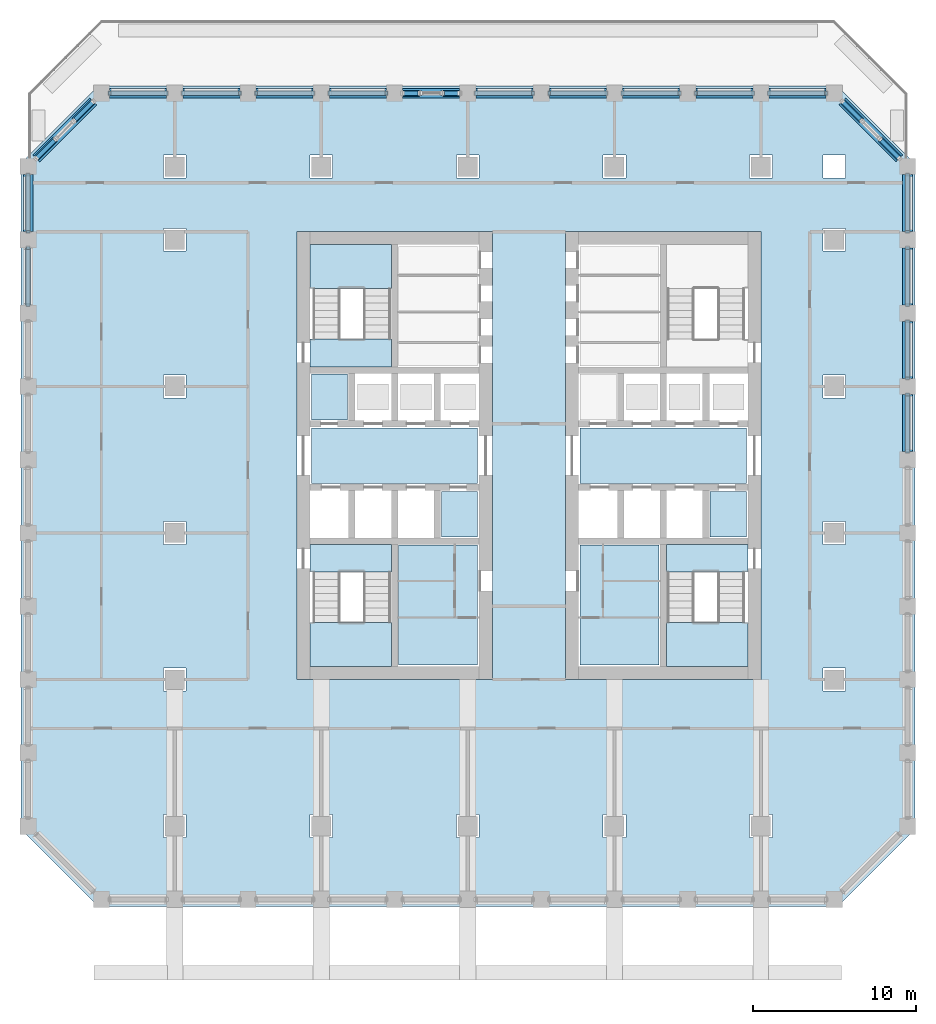
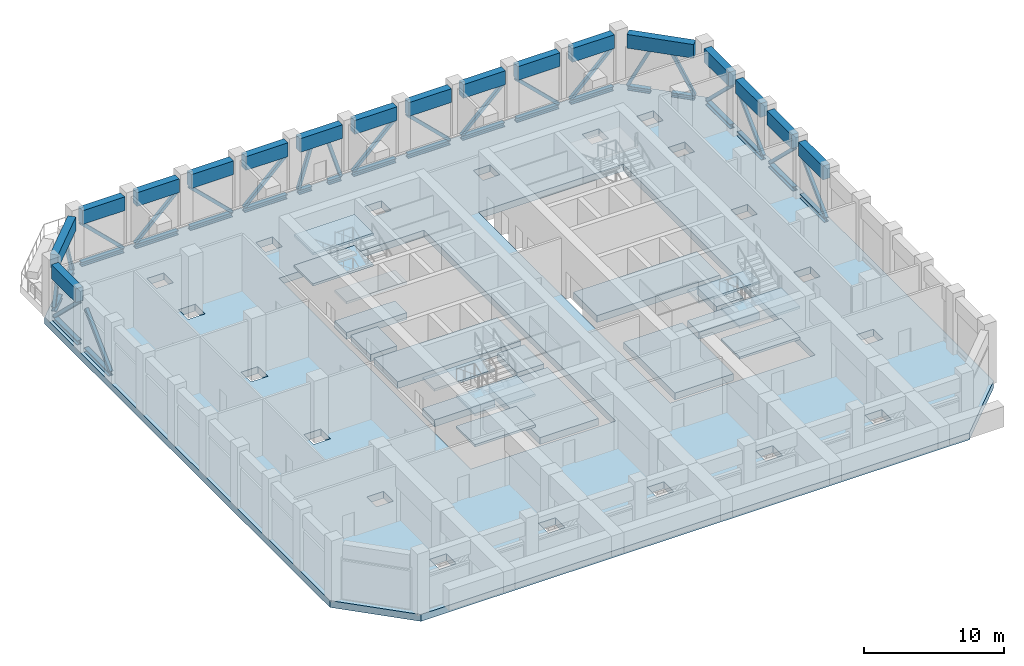
# One storey, part 2 of 20: 42 members, 20 slabs, 17 beams, 3 elements without a shape of their own.
"""IFC4 building model written with IfcOpenShell, lengths in metres."""

from ifc_helpers import new_model, si_unit, direction, frame, origin, origin_2d, place, context, subcontext, project, spatial, polyline, rectangle, hollow_rectangle, i_section, outline, extrude, material, layer, layer_set, material_profile, profile_set, type_object, element, aggregate, save


model = new_model("IFC4")

# Units and contexts
model_context = context("Model", 3, precision=1e-05, world=origin(), true_north=direction((0.0, 1.0)))
body_context = subcontext(model_context, "Body", "Model", "MODEL_VIEW")
ifc_project = project(units=[si_unit("LENGTHUNIT", "METRE"), si_unit("AREAUNIT", "SQUARE_METRE"), si_unit("VOLUMEUNIT", "CUBIC_METRE"), si_unit("PLANEANGLEUNIT", "RADIAN"), si_unit("MASSUNIT", "GRAM", prefix="KILO")], contexts=[model_context])

# Site, building, storey
site_placement = place(None, origin())
site = spatial("IfcSite", under=ifc_project, at=site_placement, CompositionType="ELEMENT")
building_placement = place(site_placement, origin())
building = spatial("IfcBuilding", under=site, at=building_placement, Name="Corbel Stack Research Tower", CompositionType="ELEMENT")
storey_placement = place(building_placement, frame((0.0, 0.0, 151.39990234375)))
storey = spatial("IfcBuildingStorey", under=building, at=storey_placement, Name="L34", CompositionType="ELEMENT", Elevation=151.39990234375)

# Members
ifc_material_1 = material(Name="Steel S355", Category="steel")
ifc_material_profile_1 = material_profile(ifc_material_1, i_section(OverallWidth=0.368896484375, OverallDepth=0.35595703125, WebThickness=0.010986328125, FlangeThickness=0.01806640625, at=origin_2d()), Name="W14x90")
ifc_profile_set_1 = profile_set([ifc_material_profile_1], Name="Steel S355")
member_type_1 = type_object("IfcMemberType", Name="BC-90", PredefinedType="CHORD", material=ifc_profile_set_1)
for number, where, z_axis, x_axis, name in (
    (1, (27.0, 5.0, 0.177978515625), (0.0, 1.0, 0.0), (-1.0, 0.0, 0.0), "Belt truss chord L34-17"),
    (2, (27.0, 9.5, 0.177978515625), (0.0, 1.0, 0.0), (-1.0, 0.0, 0.0), "Belt truss chord L34-18"),
    (3, (27.0, 14.0, 0.177978515625), (0.0, 1.0, 0.0), (-1.0, 0.0, 0.0), "Belt truss chord L34-19"),
    (4, (27.0, 18.5, 0.177978515625), (0.0, 1.0, 0.0), (-1.0, 0.0, 0.0), "Belt truss chord L34-20"),
):
    element("IfcMember", number, at=place(storey_placement, frame(where, z_axis=z_axis, x_axis=x_axis)), inside=storey, type_object=member_type_1, Name=name, PredefinedType="CHORD", context=body_context, shape_type="SweptSolid", body=[
        extrude(i_section(OverallWidth=0.368896484375, OverallDepth=0.35595703125, WebThickness=0.010986328125, FlangeThickness=0.01806640625, at=origin_2d()), origin(), (0.0, 0.0, 1.0), 3.5),
    ])
for number, where, z_axis, x_axis, name in (
    (5, (26.5, 23.0, 0.177978515625), (-0.707106781187, 0.707106781187, 0.0), (-0.707106781187, -0.707106781187, 0.0), "Belt truss chord L34-21a"),
    (6, (24.184326171875, 25.315673828125, 0.177978515625), (-0.707106781187, 0.707106781187, 0.0), (-0.707106781187, -0.707106781187, 0.0), "Belt truss chord L34-21b"),
):
    element("IfcMember", number, at=place(storey_placement, frame(where, z_axis=z_axis, x_axis=x_axis)), inside=storey, type_object=member_type_1, Name=name, PredefinedType="CHORD", context=body_context, shape_type="SweptSolid", body=[
        extrude(i_section(OverallWidth=0.368896484375, OverallDepth=0.35595703125, WebThickness=0.010986328125, FlangeThickness=0.01806640625, at=origin_2d()), origin(), (0.0, 0.0, 1.0), 1.6748046875),
    ])
for number, where, z_axis, x_axis, name in (
    (7, (22.0, 27.0, 0.177978515625), (-1.0, 0.0, 0.0), (0.0, -1.0, 0.0), "Belt truss chord L34-22"),
    (8, (17.5, 27.0, 0.177978515625), (-1.0, 0.0, 0.0), (0.0, -1.0, 0.0), "Belt truss chord L34-23"),
    (9, (13.0, 27.0, 0.177978515625), (-1.0, 0.0, 0.0), (0.0, -1.0, 0.0), "Belt truss chord L34-24"),
    (10, (8.5, 27.0, 0.177978515625), (-1.0, 0.0, 0.0), (0.0, -1.0, 0.0), "Belt truss chord L34-25"),
    (11, (4.0, 27.0, 0.177978515625), (-1.0, 0.0, 0.0), (0.0, -1.0, 0.0), "Belt truss chord L34-26"),
):
    element("IfcMember", number, at=place(storey_placement, frame(where, z_axis=z_axis, x_axis=x_axis)), inside=storey, type_object=member_type_1, Name=name, PredefinedType="CHORD", context=body_context, shape_type="SweptSolid", body=[
        extrude(i_section(OverallWidth=0.368896484375, OverallDepth=0.35595703125, WebThickness=0.010986328125, FlangeThickness=0.01806640625, at=origin_2d()), origin(), (0.0, 0.0, 1.0), 3.5),
    ])
for number, where, z_axis, x_axis, name in (
    (12, (-0.5, 27.0, 0.177978515625), (-1.0, 0.0, 0.0), (0.0, -1.0, 0.0), "Belt truss chord L34-27a"),
    (13, (-2.949951171875, 27.0, 0.177978515625), (-1.0, 0.0, 0.0), (0.0, -1.0, 0.0), "Belt truss chord L34-27b"),
):
    element("IfcMember", number, at=place(storey_placement, frame(where, z_axis=z_axis, x_axis=x_axis)), inside=storey, type_object=member_type_1, Name=name, PredefinedType="CHORD", context=body_context, shape_type="SweptSolid", body=[
        extrude(i_section(OverallWidth=0.368896484375, OverallDepth=0.35595703125, WebThickness=0.010986328125, FlangeThickness=0.01806640625, at=origin_2d()), origin(), (0.0, 0.0, 1.0), 1.050048828125),
    ])
for number, where, z_axis, x_axis, name in (
    (14, (-5.0, 27.0, 0.177978515625), (-1.0, 0.0, 0.0), (0.0, -1.0, 0.0), "Belt truss chord L34-28"),
    (15, (-9.5, 27.0, 0.177978515625), (-1.0, 0.0, 0.0), (0.0, -1.0, 0.0), "Belt truss chord L34-29"),
    (16, (-14.0, 27.0, 0.177978515625), (-1.0, 0.0, 0.0), (0.0, -1.0, 0.0), "Belt truss chord L34-30"),
    (17, (-18.5, 27.0, 0.177978515625), (-1.0, 0.0, 0.0), (0.0, -1.0, 0.0), "Belt truss chord L34-31"),
):
    element("IfcMember", number, at=place(storey_placement, frame(where, z_axis=z_axis, x_axis=x_axis)), inside=storey, type_object=member_type_1, Name=name, PredefinedType="CHORD", context=body_context, shape_type="SweptSolid", body=[
        extrude(i_section(OverallWidth=0.368896484375, OverallDepth=0.35595703125, WebThickness=0.010986328125, FlangeThickness=0.01806640625, at=origin_2d()), origin(), (0.0, 0.0, 1.0), 3.5),
    ])
for number, where, z_axis, x_axis, name in (
    (18, (-23.0, 26.5, 0.177978515625), (-0.707106781187, -0.707106781187, 0.0), (0.707106781187, -0.707106781187, 0.0), "Belt truss chord L34-32a"),
    (19, (-25.315673828125, 24.184326171875, 0.177978515625), (-0.707106781187, -0.707106781187, 0.0), (0.707106781187, -0.707106781187, 0.0), "Belt truss chord L34-32b"),
):
    element("IfcMember", number, at=place(storey_placement, frame(where, z_axis=z_axis, x_axis=x_axis)), inside=storey, type_object=member_type_1, Name=name, PredefinedType="CHORD", context=body_context, shape_type="SweptSolid", body=[
        extrude(i_section(OverallWidth=0.368896484375, OverallDepth=0.35595703125, WebThickness=0.010986328125, FlangeThickness=0.01806640625, at=origin_2d()), origin(), (0.0, 0.0, 1.0), 1.6748046875),
    ])
for number, where, z_axis, x_axis, name in (
    (20, (-27.0, 22.0, 0.177978515625), (0.0, -1.0, 0.0), (1.0, 0.0, 0.0), "Belt truss chord L34-33"),
    (21, (-27.0, 17.5, 0.177978515625), (0.0, -1.0, 0.0), (1.0, 0.0, 0.0), "Belt truss chord L34-34"),
):
    element("IfcMember", number, at=place(storey_placement, frame(where, z_axis=z_axis, x_axis=x_axis)), inside=storey, type_object=member_type_1, Name=name, PredefinedType="CHORD", context=body_context, shape_type="SweptSolid", body=[
        extrude(i_section(OverallWidth=0.368896484375, OverallDepth=0.35595703125, WebThickness=0.010986328125, FlangeThickness=0.01806640625, at=origin_2d()), origin(), (0.0, 0.0, 1.0), 3.5),
    ])
ifc_material_2 = material(Name="Steel S355", Category="steel")
ifc_material_profile_2 = material_profile(ifc_material_2, hollow_rectangle(XDim=0.25390625, YDim=0.25390625, WallThickness=0.01171875, at=origin_2d()), Name="HSS10x10x1/2")
ifc_profile_set_2 = profile_set([ifc_material_profile_2], Name="Steel S355")
member_type_2 = type_object("IfcMemberType", Name="BD-10", PredefinedType="BRACE", material=ifc_profile_set_2)
for number, where, z_axis, x_axis, name in (
    (22, (27.0, 5.0, 0.356201171875), (0.0, 0.7179148028, 0.696130976125), (-1.0, 0.0, 0.0), "Belt truss diagonal L34-17"),
    (23, (27.0, 13.0, 0.356201171875), (0.0, -0.7179148028, 0.696130976125), (1.0, 0.0, 0.0), "Belt truss diagonal L34-18"),
    (24, (27.0, 14.0, 0.356201171875), (0.0, 0.7179148028, 0.696130976125), (-1.0, 0.0, 0.0), "Belt truss diagonal L34-19"),
    (25, (27.0, 22.0, 0.356201171875), (0.0, -0.7179148028, 0.696130976125), (1.0, 0.0, 0.0), "Belt truss diagonal L34-20"),
):
    element("IfcMember", number, at=place(storey_placement, frame(where, z_axis=z_axis, x_axis=x_axis)), inside=storey, type_object=member_type_2, Name=name, PredefinedType="BRACE", context=body_context, shape_type="SweptSolid", body=[
        extrude(hollow_rectangle(XDim=0.25390625, YDim=0.25390625, WallThickness=0.01171875, at=origin_2d()), origin(), (0.0, 0.0, 1.0), 4.875244140625),
    ])
for number, where, z_axis, x_axis, name in (
    (26, (26.5, 23.0, 0.356201171875), (-0.312933745696, 0.312933745696, 0.896741290233), (-0.707106781187, -0.707106781187, 0.0), "Belt truss diagonal L34-21a"),
    (27, (23.0, 26.5, 0.356201171875), (0.312933745696, -0.312933745696, 0.896741290233), (0.707106781187, 0.707106781187, 0.0), "Belt truss diagonal L34-21b"),
):
    element("IfcMember", number, at=place(storey_placement, frame(where, z_axis=z_axis, x_axis=x_axis)), inside=storey, type_object=member_type_2, Name=name, PredefinedType="BRACE", context=body_context, shape_type="SweptSolid", body=[
        extrude(hollow_rectangle(XDim=0.25390625, YDim=0.25390625, WallThickness=0.01171875, at=origin_2d()), origin(), (0.0, 0.0, 1.0), 3.78466796875),
    ])
for number, where, z_axis, x_axis, name in (
    (28, (18.5, 27.0, 0.356201171875), (0.7179148028, 0.0, 0.696130976125), (0.0, 1.0, 0.0), "Belt truss diagonal L34-22"),
    (29, (17.5, 27.0, 0.356201171875), (-0.7179148028, 0.0, 0.696130976125), (0.0, -1.0, 0.0), "Belt truss diagonal L34-23"),
    (30, (9.5, 27.0, 0.356201171875), (0.7179148028, 0.0, 0.696130976125), (0.0, 1.0, 0.0), "Belt truss diagonal L34-24"),
    (31, (8.5, 27.0, 0.356201171875), (-0.7179148028, 0.0, 0.696130976125), (0.0, -1.0, 0.0), "Belt truss diagonal L34-25"),
    (32, (0.5, 27.0, 0.356201171875), (0.7179148028, 0.0, 0.696130976125), (0.0, 1.0, 0.0), "Belt truss diagonal L34-26"),
):
    element("IfcMember", number, at=place(storey_placement, frame(where, z_axis=z_axis, x_axis=x_axis)), inside=storey, type_object=member_type_2, Name=name, PredefinedType="BRACE", context=body_context, shape_type="SweptSolid", body=[
        extrude(hollow_rectangle(XDim=0.25390625, YDim=0.25390625, WallThickness=0.01171875, at=origin_2d()), origin(), (0.0, 0.0, 1.0), 4.875244140625),
    ])
for number, where, z_axis, x_axis, name in (
    (33, (-0.5, 27.0, 0.356201171875), (-0.295577708638, 0.0, 0.955318699784), (0.0, -1.0, 0.0), "Belt truss diagonal L34-27a"),
    (34, (-4.0, 27.0, 0.356201171875), (0.295577708638, 0.0, 0.955318699784), (0.0, 1.0, 0.0), "Belt truss diagonal L34-27b"),
):
    element("IfcMember", number, at=place(storey_placement, frame(where, z_axis=z_axis, x_axis=x_axis)), inside=storey, type_object=member_type_2, Name=name, PredefinedType="BRACE", context=body_context, shape_type="SweptSolid", body=[
        extrude(hollow_rectangle(XDim=0.25390625, YDim=0.25390625, WallThickness=0.01171875, at=origin_2d()), origin(), (0.0, 0.0, 1.0), 3.552490234375),
    ])
for number, where, z_axis, x_axis, name in (
    (35, (-8.5, 27.0, 0.356201171875), (0.7179148028, 0.0, 0.696130976125), (0.0, 1.0, 0.0), "Belt truss diagonal L34-28"),
    (36, (-9.5, 27.0, 0.356201171875), (-0.7179148028, 0.0, 0.696130976125), (0.0, -1.0, 0.0), "Belt truss diagonal L34-29"),
    (37, (-17.5, 27.0, 0.356201171875), (0.7179148028, 0.0, 0.696130976125), (0.0, 1.0, 0.0), "Belt truss diagonal L34-30"),
    (38, (-18.5, 27.0, 0.356201171875), (-0.7179148028, 0.0, 0.696130976125), (0.0, -1.0, 0.0), "Belt truss diagonal L34-31"),
):
    element("IfcMember", number, at=place(storey_placement, frame(where, z_axis=z_axis, x_axis=x_axis)), inside=storey, type_object=member_type_2, Name=name, PredefinedType="BRACE", context=body_context, shape_type="SweptSolid", body=[
        extrude(hollow_rectangle(XDim=0.25390625, YDim=0.25390625, WallThickness=0.01171875, at=origin_2d()), origin(), (0.0, 0.0, 1.0), 4.875244140625),
    ])
for number, where, z_axis, x_axis, name in (
    (39, (-23.0, 26.5, 0.356201171875), (-0.312933745696, -0.312933745696, 0.896741290233), (0.707106781187, -0.707106781187, 0.0), "Belt truss diagonal L34-32a"),
    (40, (-26.5, 23.0, 0.356201171875), (0.312933745696, 0.312933745696, 0.896741290233), (-0.707106781187, 0.707106781187, 0.0), "Belt truss diagonal L34-32b"),
):
    element("IfcMember", number, at=place(storey_placement, frame(where, z_axis=z_axis, x_axis=x_axis)), inside=storey, type_object=member_type_2, Name=name, PredefinedType="BRACE", context=body_context, shape_type="SweptSolid", body=[
        extrude(hollow_rectangle(XDim=0.25390625, YDim=0.25390625, WallThickness=0.01171875, at=origin_2d()), origin(), (0.0, 0.0, 1.0), 3.78466796875),
    ])
for number, where, z_axis, x_axis, name in (
    (41, (-27.0, 22.0, 0.356201171875), (0.0, -0.7179148028, 0.696130976125), (1.0, 0.0, 0.0), "Belt truss diagonal L34-33"),
    (42, (-27.0, 14.0, 0.356201171875), (0.0, 0.7179148028, 0.696130976125), (-1.0, 0.0, 0.0), "Belt truss diagonal L34-34"),
):
    element("IfcMember", number, at=place(storey_placement, frame(where, z_axis=z_axis, x_axis=x_axis)), inside=storey, type_object=member_type_2, Name=name, PredefinedType="BRACE", context=body_context, shape_type="SweptSolid", body=[
        extrude(hollow_rectangle(XDim=0.25390625, YDim=0.25390625, WallThickness=0.01171875, at=origin_2d()), origin(), (0.0, 0.0, 1.0), 4.875244140625),
    ])

# Beams
ifc_material_3 = material(Name="Concrete C60/75", Category="concrete")
ifc_material_profile_3 = material_profile(ifc_material_3, rectangle(XDim=0.60009765625, YDim=1.199951171875, at=origin_2d()), Name="RC 600 x 1200")
ifc_profile_set_3 = profile_set([ifc_material_profile_3], Name="Concrete C60/75")
beam_type = type_object("IfcBeamType", Name="SB-600-1200-450", PredefinedType="SPANDREL", material=ifc_profile_set_3)
for number, where, z_axis, x_axis, name in (
    (43, (27.0, 5.0, 4.35009765625), (0.0, 1.0, 0.0), (-1.0, 0.0, 0.0), "Spandrel beam L34-17"),
    (44, (27.0, 9.5, 4.35009765625), (0.0, 1.0, 0.0), (-1.0, 0.0, 0.0), "Spandrel beam L34-18"),
    (45, (27.0, 14.0, 4.35009765625), (0.0, 1.0, 0.0), (-1.0, 0.0, 0.0), "Spandrel beam L34-19"),
    (46, (27.0, 18.5, 4.35009765625), (0.0, 1.0, 0.0), (-1.0, 0.0, 0.0), "Spandrel beam L34-20"),
):
    element("IfcBeam", number, at=place(storey_placement, frame(where, z_axis=z_axis, x_axis=x_axis)), inside=storey, type_object=beam_type, Name=name, PredefinedType="SPANDREL", context=body_context, shape_type="SweptSolid", body=[
        extrude(rectangle(XDim=0.60009765625, YDim=1.199951171875, at=origin_2d()), origin(), (0.0, 0.0, 1.0), 3.5),
    ])
beam_1_placement = place(storey_placement, frame((26.5, 23.0, 4.35009765625), z_axis=(-0.707106781187, 0.707106781187, 0.0), x_axis=(-0.707106781187, -0.707106781187, 0.0)))
element("IfcBeam", 47, at=beam_1_placement, inside=storey, type_object=beam_type, Name="Spandrel beam L34-21", PredefinedType="SPANDREL", context=body_context, shape_type="SweptSolid", body=[
    extrude(rectangle(XDim=0.60009765625, YDim=1.199951171875, at=origin_2d()), origin(), (0.0, 0.0, 1.0), 4.94970703125),
])
for number, where, z_axis, x_axis, name in (
    (48, (22.0, 27.0, 4.35009765625), (-1.0, 0.0, 0.0), (0.0, -1.0, 0.0), "Spandrel beam L34-22"),
    (49, (17.5, 27.0, 4.35009765625), (-1.0, 0.0, 0.0), (0.0, -1.0, 0.0), "Spandrel beam L34-23"),
    (50, (13.0, 27.0, 4.35009765625), (-1.0, 0.0, 0.0), (0.0, -1.0, 0.0), "Spandrel beam L34-24"),
    (51, (8.5, 27.0, 4.35009765625), (-1.0, 0.0, 0.0), (0.0, -1.0, 0.0), "Spandrel beam L34-25"),
    (52, (4.0, 27.0, 4.35009765625), (-1.0, 0.0, 0.0), (0.0, -1.0, 0.0), "Spandrel beam L34-26"),
    (53, (-0.5, 27.0, 4.35009765625), (-1.0, 0.0, 0.0), (0.0, -1.0, 0.0), "Spandrel beam L34-27"),
    (54, (-5.0, 27.0, 4.35009765625), (-1.0, 0.0, 0.0), (0.0, -1.0, 0.0), "Spandrel beam L34-28"),
    (55, (-9.5, 27.0, 4.35009765625), (-1.0, 0.0, 0.0), (0.0, -1.0, 0.0), "Spandrel beam L34-29"),
    (56, (-14.0, 27.0, 4.35009765625), (-1.0, 0.0, 0.0), (0.0, -1.0, 0.0), "Spandrel beam L34-30"),
    (57, (-18.5, 27.0, 4.35009765625), (-1.0, 0.0, 0.0), (0.0, -1.0, 0.0), "Spandrel beam L34-31"),
):
    element("IfcBeam", number, at=place(storey_placement, frame(where, z_axis=z_axis, x_axis=x_axis)), inside=storey, type_object=beam_type, Name=name, PredefinedType="SPANDREL", context=body_context, shape_type="SweptSolid", body=[
        extrude(rectangle(XDim=0.60009765625, YDim=1.199951171875, at=origin_2d()), origin(), (0.0, 0.0, 1.0), 3.5),
    ])
beam_2_placement = place(storey_placement, frame((-23.0, 26.5, 4.35009765625), z_axis=(-0.707106781187, -0.707106781187, 0.0), x_axis=(0.707106781187, -0.707106781187, 0.0)))
element("IfcBeam", 58, at=beam_2_placement, inside=storey, type_object=beam_type, Name="Spandrel beam L34-32", PredefinedType="SPANDREL", context=body_context, shape_type="SweptSolid", body=[
    extrude(rectangle(XDim=0.60009765625, YDim=1.199951171875, at=origin_2d()), origin(), (0.0, 0.0, 1.0), 4.94970703125),
])
beam_3_placement = place(storey_placement, frame((-27.0, 22.0, 4.35009765625), z_axis=(0.0, -1.0, 0.0), x_axis=(1.0, 0.0, 0.0)))
element("IfcBeam", 59, at=beam_3_placement, inside=storey, type_object=beam_type, Name="Spandrel beam L34-33", PredefinedType="SPANDREL", context=body_context, shape_type="SweptSolid", body=[
    extrude(rectangle(XDim=0.60009765625, YDim=1.199951171875, at=origin_2d()), origin(), (0.0, 0.0, 1.0), 3.5),
])

# Slabs
ifc_material_4 = material(Name="Concrete C45/55", Category="concrete")
ifc_layer_1 = layer(ifc_material_4, 0.60009765625)
ifc_layer_set_1 = layer_set([ifc_layer_1], Name="Concrete C45/55")
slab_type_1 = type_object("IfcSlabType", Name="PT-600", PredefinedType="FLOOR", material=ifc_layer_set_1)
slab_1_placement = place(storey_placement, frame((0.0, 0.0, -0.599853515625)))
element("IfcSlab", 60, at=slab_1_placement, inside=storey, type_object=slab_type_1, Name="Floor slab L34", PredefinedType="FLOOR", context=body_context, shape_type="SweptSolid", body=[
    extrude(outline(polyline([(-22.686279296875, -22.949951171875), (22.686279296875, -22.949951171875), (27.449951171875, -18.186279296875), (27.449951171875, 22.686279296875), (22.686279296875, 27.449951171875), (-22.686279296875, 27.449951171875), (-27.449951171875, 22.686279296875), (-27.449951171875, -18.186279296875), (-22.686279296875, -22.949951171875)]), holes=[polyline([(21.800048828125, 21.800048828125), (21.800048828125, 23.199951171875), (23.199951171875, 23.199951171875), (23.199951171875, 21.800048828125), (21.800048828125, 21.800048828125)]), polyline([(21.800048828125, 17.300048828125), (21.800048828125, 18.699951171875), (23.199951171875, 18.699951171875), (23.199951171875, 17.300048828125), (21.800048828125, 17.300048828125)]), polyline([(21.800048828125, 8.300048828125), (21.800048828125, 9.699951171875), (23.199951171875, 9.699951171875), (23.199951171875, 8.300048828125), (21.800048828125, 8.300048828125)]), polyline([(21.800048828125, -0.699951171875), (21.800048828125, 0.699951171875), (23.199951171875, 0.699951171875), (23.199951171875, -0.699951171875), (21.800048828125, -0.699951171875)]), polyline([(21.800048828125, -9.699951171875), (21.800048828125, -8.300048828125), (23.199951171875, -8.300048828125), (23.199951171875, -9.699951171875), (21.800048828125, -9.699951171875)]), polyline([(17.300048828125, 21.800048828125), (17.300048828125, 23.199951171875), (18.699951171875, 23.199951171875), (18.699951171875, 21.800048828125), (17.300048828125, 21.800048828125)]), polyline([(18.699951171875, -18.699951171875), (17.300048828125, -18.699951171875), (17.300048828125, -17.300048828125), (18.699951171875, -17.300048828125), (18.699951171875, -18.699951171875)]), polyline([(18.0, -9.0), (6.0, -9.0), (6.0, 18.5), (18.0, 18.5), (18.0, -9.0)]), polyline([(9.699951171875, 21.800048828125), (8.300048828125, 21.800048828125), (8.300048828125, 23.199951171875), (9.699951171875, 23.199951171875), (9.699951171875, 21.800048828125)]), polyline([(9.699951171875, -18.699951171875), (8.300048828125, -18.699951171875), (8.300048828125, -17.300048828125), (9.699951171875, -17.300048828125), (9.699951171875, -18.699951171875)]), polyline([(1.5, -9.0), (-10.5, -9.0), (-10.5, 18.5), (1.5, 18.5), (1.5, -9.0)]), polyline([(0.699951171875, 21.800048828125), (-0.699951171875, 21.800048828125), (-0.699951171875, 23.199951171875), (0.699951171875, 23.199951171875), (0.699951171875, 21.800048828125)]), polyline([(0.699951171875, -18.699951171875), (-0.699951171875, -18.699951171875), (-0.699951171875, -17.300048828125), (0.699951171875, -17.300048828125), (0.699951171875, -18.699951171875)]), polyline([(-9.699951171875, 21.800048828125), (-9.699951171875, 23.199951171875), (-8.300048828125, 23.199951171875), (-8.300048828125, 21.800048828125), (-9.699951171875, 21.800048828125)]), polyline([(-8.300048828125, -18.699951171875), (-9.699951171875, -18.699951171875), (-9.699951171875, -17.300048828125), (-8.300048828125, -17.300048828125), (-8.300048828125, -18.699951171875)]), polyline([(-18.699951171875, 21.800048828125), (-18.699951171875, 23.199951171875), (-17.300048828125, 23.199951171875), (-17.300048828125, 21.800048828125), (-18.699951171875, 21.800048828125)]), polyline([(-17.300048828125, 17.300048828125), (-18.699951171875, 17.300048828125), (-18.699951171875, 18.699951171875), (-17.300048828125, 18.699951171875), (-17.300048828125, 17.300048828125)]), polyline([(-17.300048828125, 8.300048828125), (-18.699951171875, 8.300048828125), (-18.699951171875, 9.699951171875), (-17.300048828125, 9.699951171875), (-17.300048828125, 8.300048828125)]), polyline([(-18.699951171875, -0.699951171875), (-18.699951171875, 0.699951171875), (-17.300048828125, 0.699951171875), (-17.300048828125, -0.699951171875), (-18.699951171875, -0.699951171875)]), polyline([(-18.699951171875, -9.699951171875), (-18.699951171875, -8.300048828125), (-17.300048828125, -8.300048828125), (-17.300048828125, -9.699951171875), (-18.699951171875, -9.699951171875)]), polyline([(-17.300048828125, -18.699951171875), (-18.699951171875, -18.699951171875), (-18.699951171875, -17.300048828125), (-17.300048828125, -17.300048828125), (-17.300048828125, -18.699951171875)])]), origin(), (0.0, 0.0, 1.0), 0.599853515625),
])
slab_2_placement = place(storey_placement, frame((0.0, 0.0, -0.599853515625)))
element("IfcSlab", 61, at=slab_2_placement, inside=storey, type_object=slab_type_1, Name="West core floor L34", PredefinedType="FLOOR", context=body_context, shape_type="SweptSolid", body=[
    extrude(outline(polyline([(0.60009765625, 6.449951171875), (-9.60009765625, 6.449951171875), (-9.60009765625, 3.050048828125), (0.60009765625, 3.050048828125), (0.60009765625, 6.449951171875)])), origin(), (0.0, 0.0, 1.0), 0.599853515625),
])
slab_3_placement = place(storey_placement, frame((0.0, 0.0, -0.599853515625)))
element("IfcSlab", 62, at=slab_3_placement, inside=storey, type_object=slab_type_1, Name="West core floor L34", PredefinedType="FLOOR", context=body_context, shape_type="SweptSolid", body=[
    extrude(outline(polyline([(-7.375, 6.949951171875), (-7.375, 9.75), (-9.60009765625, 9.75), (-9.60009765625, 6.949951171875), (-7.375, 6.949951171875)])), origin(), (0.0, 0.0, 1.0), 0.599853515625),
])
slab_4_placement = place(storey_placement, frame((0.0, 0.0, -0.599853515625)))
element("IfcSlab", 63, at=slab_4_placement, inside=storey, type_object=slab_type_1, Name="West core floor L34", PredefinedType="FLOOR", context=body_context, shape_type="SweptSolid", body=[
    extrude(outline(polyline([(0.60009765625, -8.10009765625), (0.60009765625, -0.75), (-4.25, -0.75), (-4.25, -8.10009765625), (0.60009765625, -8.10009765625)])), origin(), (0.0, 0.0, 1.0), 0.599853515625),
])
slab_5_placement = place(storey_placement, frame((0.0, 0.0, -0.599853515625)))
element("IfcSlab", 64, at=slab_5_placement, inside=storey, type_object=slab_type_1, Name="West core floor L34", PredefinedType="FLOOR", context=body_context, shape_type="SweptSolid", body=[
    extrude(outline(polyline([(0.60009765625, 2.550048828125), (-1.625, 2.550048828125), (-1.625, -0.25), (0.60009765625, -0.25), (0.60009765625, 2.550048828125)])), origin(), (0.0, 0.0, 1.0), 0.599853515625),
])
slab_6_placement = place(storey_placement, frame((0.0, 0.0, -0.599853515625)))
element("IfcSlab", 65, at=slab_6_placement, inside=storey, type_object=slab_type_1, Name="East core floor L34", PredefinedType="FLOOR", context=body_context, shape_type="SweptSolid", body=[
    extrude(outline(polyline([(11.75, -0.75), (6.89990234375, -0.75), (6.89990234375, -8.10009765625), (11.75, -8.10009765625), (11.75, -0.75)])), origin(), (0.0, 0.0, 1.0), 0.599853515625),
])
slab_7_placement = place(storey_placement, frame((0.0, 0.0, -0.599853515625)))
element("IfcSlab", 66, at=slab_7_placement, inside=storey, type_object=slab_type_1, Name="East core floor L34", PredefinedType="FLOOR", context=body_context, shape_type="SweptSolid", body=[
    extrude(outline(polyline([(6.89990234375, 6.449951171875), (6.89990234375, 3.050048828125), (17.10009765625, 3.050048828125), (17.10009765625, 6.449951171875), (6.89990234375, 6.449951171875)])), origin(), (0.0, 0.0, 1.0), 0.599853515625),
])
slab_8_placement = place(storey_placement, frame((0.0, 0.0, -0.599853515625)))
element("IfcSlab", 67, at=slab_8_placement, inside=storey, type_object=slab_type_1, Name="East core floor L34", PredefinedType="FLOOR", context=body_context, shape_type="SweptSolid", body=[
    extrude(outline(polyline([(14.875, 2.550048828125), (14.875, -0.25), (17.10009765625, -0.25), (17.10009765625, 2.550048828125), (14.875, 2.550048828125)])), origin(), (0.0, 0.0, 1.0), 0.599853515625),
])
slab_9_placement = place(storey_placement, frame((0.0, 0.0, -0.599853515625)))
element("IfcSlab", 68, at=slab_9_placement, inside=storey, type_object=slab_type_1, Name="Stair floor landing ST-W1", PredefinedType="FLOOR", context=body_context, shape_type="SweptSolid", body=[
    extrude(outline(polyline([(-9.699951171875, -2.39990234375), (-4.699951171875, -2.39990234375), (-4.699951171875, -0.699951171875), (-9.699951171875, -0.699951171875), (-9.699951171875, -2.39990234375)])), origin(), (0.0, 0.0, 1.0), 0.599853515625),
])
slab_10_placement = place(storey_placement, frame((0.0, 0.0, -0.599853515625)))
element("IfcSlab", 69, at=slab_10_placement, inside=storey, type_object=slab_type_1, Name="Stair floor landing ST-W2", PredefinedType="FLOOR", context=body_context, shape_type="SweptSolid", body=[
    extrude(outline(polyline([(-9.699951171875, 10.199951171875), (-4.699951171875, 10.199951171875), (-4.699951171875, 11.89990234375), (-9.699951171875, 11.89990234375), (-9.699951171875, 10.199951171875)])), origin(), (0.0, 0.0, 1.0), 0.599853515625),
])
slab_11_placement = place(storey_placement, frame((0.0, 0.0, -0.599853515625)))
element("IfcSlab", 70, at=slab_11_placement, inside=storey, type_object=slab_type_1, Name="Stair floor landing ST-E1", PredefinedType="FLOOR", context=body_context, shape_type="SweptSolid", body=[
    extrude(outline(polyline([(12.199951171875, -2.39990234375), (17.199951171875, -2.39990234375), (17.199951171875, -0.699951171875), (12.199951171875, -0.699951171875), (12.199951171875, -2.39990234375)])), origin(), (0.0, 0.0, 1.0), 0.599853515625),
])

# Stair, slabs
ifc_material_5 = material(Name="Concrete C40/50", Category="concrete")
stair_type = type_object("IfcStairType", Name="Exit stair 32 risers, 443 going", PredefinedType="HALF_TURN_STAIR", material=ifc_material_5)
stair_1_placement = place(storey_placement, origin())
stair_1 = element("IfcStair", 71, at=stair_1_placement, inside=storey, type_object=stair_type, Name="L34 Exit stair ST-W1", PredefinedType="HALF_TURN_STAIR")
ifc_material_6 = material(Name="Concrete C40/50", Category="concrete")
ifc_layer_2 = layer(ifc_material_6, 0.199951171875)
ifc_layer_set_2 = layer_set([ifc_layer_2], Name="Concrete C40/50")
slab_type_2 = type_object("IfcSlabType", Name="Stair landing 200 C40/50", PredefinedType="LANDING", material=ifc_layer_set_2)
slab_12_placement = place(storey_placement, frame((0.0, 0.0, 1.150146484375)))
slab_12 = element("IfcSlab", 72, at=slab_12_placement, type_object=slab_type_2, Name="ST-W1 landing 1", PredefinedType="LANDING", context=body_context, shape_type="SweptSolid", body=[
    extrude(outline(polyline([(-9.699951171875, -8.199951171875), (-9.699951171875, -5.5009765625), (-4.699951171875, -5.5009765625), (-4.699951171875, -8.199951171875), (-9.699951171875, -8.199951171875)])), origin(), (0.0, 0.0, 1.0), 0.199951171875),
])
slab_13_placement = place(storey_placement, frame((0.0, 0.0, 2.5)))
slab_13 = element("IfcSlab", 73, at=slab_13_placement, type_object=slab_type_2, Name="ST-W1 landing 2", PredefinedType="LANDING", context=body_context, shape_type="SweptSolid", body=[
    extrude(outline(polyline([(-9.699951171875, -2.39990234375), (-9.699951171875, -0.699951171875), (-4.699951171875, -0.699951171875), (-4.699951171875, -2.39990234375), (-9.699951171875, -2.39990234375)])), origin(), (0.0, 0.0, 1.0), 0.2001953125),
])
slab_14_placement = place(storey_placement, frame((0.0, 0.0, 3.85009765625)))
slab_14 = element("IfcSlab", 74, at=slab_14_placement, type_object=slab_type_2, Name="ST-W1 landing 3", PredefinedType="LANDING", context=body_context, shape_type="SweptSolid", body=[
    extrude(outline(polyline([(-9.699951171875, -8.199951171875), (-9.699951171875, -5.5009765625), (-4.699951171875, -5.5009765625), (-4.699951171875, -8.199951171875), (-9.699951171875, -8.199951171875)])), origin(), (0.0, 0.0, 1.0), 0.199951171875),
])
aggregate(stair_1, [slab_12, slab_13, slab_14])

stair_2_placement = place(storey_placement, origin())
stair_2 = element("IfcStair", 75, at=stair_2_placement, inside=storey, type_object=stair_type, Name="L34 Exit stair ST-W2", PredefinedType="HALF_TURN_STAIR")
slab_15_placement = place(storey_placement, frame((0.0, 0.0, 1.150146484375)))
slab_15 = element("IfcSlab", 76, at=slab_15_placement, type_object=slab_type_2, Name="ST-W2 landing 1", PredefinedType="LANDING", context=body_context, shape_type="SweptSolid", body=[
    extrude(outline(polyline([(-9.699951171875, 15.0009765625), (-9.699951171875, 17.699951171875), (-4.699951171875, 17.699951171875), (-4.699951171875, 15.0009765625), (-9.699951171875, 15.0009765625)])), origin(), (0.0, 0.0, 1.0), 0.199951171875),
])
slab_16_placement = place(storey_placement, frame((0.0, 0.0, 2.5)))
slab_16 = element("IfcSlab", 77, at=slab_16_placement, type_object=slab_type_2, Name="ST-W2 landing 2", PredefinedType="LANDING", context=body_context, shape_type="SweptSolid", body=[
    extrude(outline(polyline([(-9.699951171875, 10.199951171875), (-9.699951171875, 11.89990234375), (-4.699951171875, 11.89990234375), (-4.699951171875, 10.199951171875), (-9.699951171875, 10.199951171875)])), origin(), (0.0, 0.0, 1.0), 0.2001953125),
])
slab_17_placement = place(storey_placement, frame((0.0, 0.0, 3.85009765625)))
slab_17 = element("IfcSlab", 78, at=slab_17_placement, type_object=slab_type_2, Name="ST-W2 landing 3", PredefinedType="LANDING", context=body_context, shape_type="SweptSolid", body=[
    extrude(outline(polyline([(-9.699951171875, 15.0009765625), (-9.699951171875, 17.699951171875), (-4.699951171875, 17.699951171875), (-4.699951171875, 15.0009765625), (-9.699951171875, 15.0009765625)])), origin(), (0.0, 0.0, 1.0), 0.199951171875),
])
aggregate(stair_2, [slab_15, slab_16, slab_17])

stair_3_placement = place(storey_placement, origin())
stair_3 = element("IfcStair", 79, at=stair_3_placement, inside=storey, type_object=stair_type, Name="L34 Exit stair ST-E1", PredefinedType="HALF_TURN_STAIR")
slab_18_placement = place(storey_placement, frame((0.0, 0.0, 1.150146484375)))
slab_18 = element("IfcSlab", 80, at=slab_18_placement, type_object=slab_type_2, Name="ST-E1 landing 1", PredefinedType="LANDING", context=body_context, shape_type="SweptSolid", body=[
    extrude(outline(polyline([(12.199951171875, -8.199951171875), (12.199951171875, -5.5009765625), (17.199951171875, -5.5009765625), (17.199951171875, -8.199951171875), (12.199951171875, -8.199951171875)])), origin(), (0.0, 0.0, 1.0), 0.199951171875),
])
slab_19_placement = place(storey_placement, frame((0.0, 0.0, 2.5)))
slab_19 = element("IfcSlab", 81, at=slab_19_placement, type_object=slab_type_2, Name="ST-E1 landing 2", PredefinedType="LANDING", context=body_context, shape_type="SweptSolid", body=[
    extrude(outline(polyline([(12.199951171875, -2.39990234375), (12.199951171875, -0.699951171875), (17.199951171875, -0.699951171875), (17.199951171875, -2.39990234375), (12.199951171875, -2.39990234375)])), origin(), (0.0, 0.0, 1.0), 0.2001953125),
])
slab_20_placement = place(storey_placement, frame((0.0, 0.0, 3.85009765625)))
slab_20 = element("IfcSlab", 82, at=slab_20_placement, type_object=slab_type_2, Name="ST-E1 landing 3", PredefinedType="LANDING", context=body_context, shape_type="SweptSolid", body=[
    extrude(outline(polyline([(12.199951171875, -8.199951171875), (12.199951171875, -5.5009765625), (17.199951171875, -5.5009765625), (17.199951171875, -8.199951171875), (12.199951171875, -8.199951171875)])), origin(), (0.0, 0.0, 1.0), 0.199951171875),
])
aggregate(stair_3, [slab_18, slab_19, slab_20])

save(model, "model.ifc")
